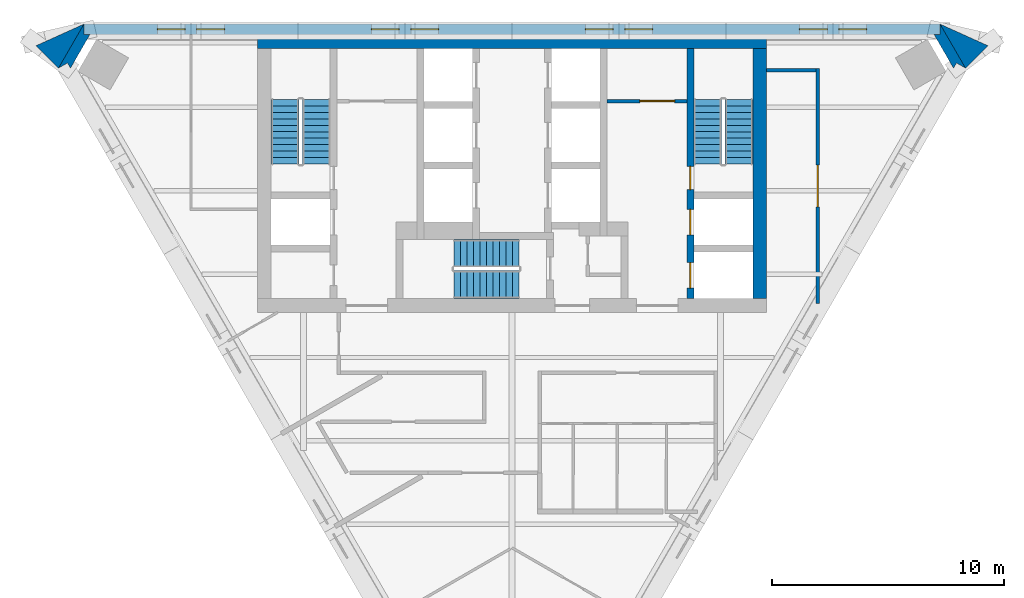
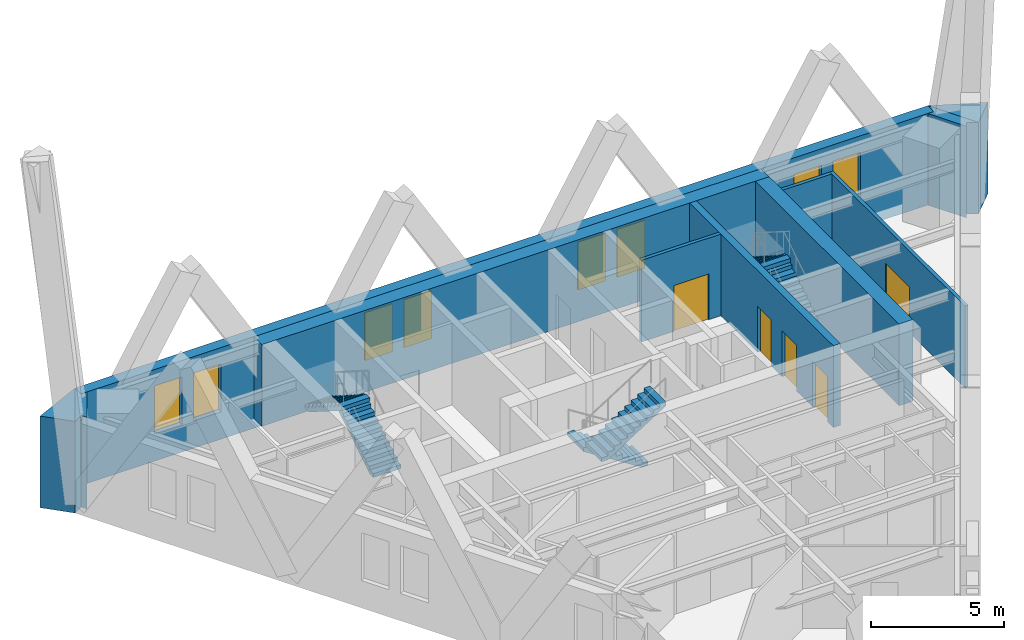
# One storey, part 5 of 6: 11 walls, 8 windows, 6 stair flights, 5 doors, 13 openings, 3 elements without a shape of their own.
"""IFC4 building model written with IfcOpenShell, lengths in metres."""

from ifc_helpers import new_model, si_unit, direction, frame, frame_2d, origin, place, context, subcontext, project, spatial, polyline, rectangle, outline, extrude, material, layer, layer_set, type_object, element, fill, aggregate, save


model = new_model("IFC4")

# Units and contexts
model_context = context("Model", 3, precision=1e-05, world=origin(), true_north=direction((0.0, 1.0)))
body_context = subcontext(model_context, "Body", "Model", "MODEL_VIEW")
ifc_project = project(units=[si_unit("LENGTHUNIT", "METRE"), si_unit("AREAUNIT", "SQUARE_METRE"), si_unit("VOLUMEUNIT", "CUBIC_METRE"), si_unit("PLANEANGLEUNIT", "RADIAN"), si_unit("MASSUNIT", "GRAM", prefix="KILO")], contexts=[model_context])

# Site, building, storey
site_placement = place(None, origin())
site = spatial("IfcSite", under=ifc_project, at=site_placement, CompositionType="ELEMENT")
building_placement = place(site_placement, origin())
building = spatial("IfcBuilding", under=site, at=building_placement, Name="Aloe Facet Convention Tower", CompositionType="ELEMENT")
storey_placement = place(building_placement, frame((0.0, 0.0, 238.699951171875)))
storey = spatial("IfcBuildingStorey", under=building, at=storey_placement, Name="L58", CompositionType="ELEMENT", Elevation=238.699951171875)

# Wall, opening, door
ifc_material_1 = material(Name="Concrete blockwork partition", Category="masonry")
ifc_layer_1 = layer(ifc_material_1, 0.14990234375)
ifc_layer_set_1 = layer_set([ifc_layer_1], Name="CR-W-PART150")
wall_type_1 = type_object("IfcWallType", Name="CR-W-PART150", PredefinedType="PARTITIONING", material=ifc_layer_set_1)
wall_1_placement = place(storey_placement, frame((84.10009765625, 131.675048828125, 0.0), z_axis=(0.0, 0.0, 1.0), x_axis=(1.0, 0.0, 0.0)))
wall_1 = element("IfcWall", 1, at=wall_1_placement, inside=storey, type_object=wall_type_1, Name="Core partition L58-025", PredefinedType="PARTITIONING", context=body_context, shape_type="SweptSolid", body=[
    extrude(rectangle(XDim=3.449951171875, YDim=0.14990234375, at=frame_2d((1.72509765625, 0.0))), origin(), (0.0, 0.0, 1.0), 3.75),
])
opening_1_placement = place(wall_1_placement, frame((1.425048828125, 0.0, 0.0)))
opening_1 = element("IfcOpeningElement", 2, at=opening_1_placement, cuts=wall_1, Name="Opening L58-CD13", PredefinedType="OPENING", context=body_context, shape_type="SweptSolid", body=[
    extrude(rectangle(XDim=1.5, YDim=2.10009765625, at=frame_2d((0.75, 1.050048828125))), frame((0.0, 0.0849609375, 0.0), z_axis=(0.0, -1.0, 0.0), x_axis=(1.0, 0.0, 0.0)), (0.0, 0.0, 1.0), 0.169921875),
])
ifc_material_2 = material(Name="Steel fire-resisting door set FD60", Category="steel")
door_type_1 = type_object("IfcDoorType", Name="CR-D-REFUGE-1500-FD60-DD", OperationType="DOUBLE_DOOR_DOUBLE_SWING", PredefinedType="DOOR", material=ifc_material_2)
door_1_placement = place(opening_1_placement, origin())
door_1 = element("IfcDoor", 3, at=door_1_placement, inside=storey, type_object=door_type_1, Name="Core door L58-CD13", OperationType="DOUBLE_DOOR_DOUBLE_SWING", OverallHeight=2.10009765625, OverallWidth=1.5, PredefinedType="DOOR", context=body_context, shape_type="SweptSolid", body=[
    extrude(rectangle(XDim=1.5, YDim=2.10009765625, at=frame_2d((0.75, 1.050048828125))), frame((0.0, 0.02490234375, 0.0), z_axis=(0.0, -1.0, 0.0), x_axis=(1.0, 0.0, 0.0)), (0.0, 0.0, 1.0), 0.050048828125),
])
fill(opening_1, door_1)

# Wall, openings, doors
ifc_material_3 = material(Name="Concrete C50/60", Category="concrete")
ifc_layer_2 = layer(ifc_material_3, 0.300048828125)
ifc_layer_set_2 = layer_set([ifc_layer_2], Name="CR-W-RC300-C5060")
wall_type_2 = type_object("IfcWallType", Name="CR-W-RC300-C5060", PredefinedType="SOLIDWALL", material=ifc_layer_set_2)
wall_2_placement = place(storey_placement, frame((87.699951171875, 133.949951171875, 0.0), z_axis=(0.0, 0.0, 1.0), x_axis=(0.0, -1.0, 0.0)))
wall_2 = element("IfcWall", 4, at=wall_2_placement, inside=storey, type_object=wall_type_2, Name="Core wall L58-028", PredefinedType="SOLIDWALL", context=body_context, shape_type="SweptSolid", body=[
    extrude(rectangle(XDim=10.800048828125, YDim=0.300048828125, at=frame_2d((5.39990234375, 0.0))), origin(), (0.0, 0.0, 1.0), 3.75),
])
opening_2_placement = place(wall_2_placement, frame((6.949951171875, 0.0, 0.0)))
opening_2 = element("IfcOpeningElement", 5, at=opening_2_placement, cuts=wall_2, Name="Opening LD-FF2-L58", PredefinedType="OPENING", context=body_context, shape_type="SweptSolid", body=[
    extrude(rectangle(XDim=1.10009765625, YDim=2.10009765625, at=frame_2d((0.550048828125, 1.050048828125))), frame((0.0, 0.16015625, 0.0), z_axis=(0.0, -1.0, 0.0), x_axis=(1.0, 0.0, 0.0)), (0.0, 0.0, 1.0), 0.320068359375),
])
opening_3_placement = place(wall_2_placement, frame((5.10009765625, 0.0, 0.0)))
opening_3 = element("IfcOpeningElement", 6, at=opening_3_placement, cuts=wall_2, Name="Opening L58-CD17", PredefinedType="OPENING", context=body_context, shape_type="SweptSolid", body=[
    extrude(rectangle(XDim=1.0, YDim=2.10009765625, at=frame_2d((0.5, 1.050048828125))), frame((0.0, 0.16015625, 0.0), z_axis=(0.0, -1.0, 0.0), x_axis=(1.0, 0.0, 0.0)), (0.0, 0.0, 1.0), 0.320068359375),
])
opening_4_placement = place(wall_2_placement, frame((9.25, 0.0, 0.0)))
opening_4 = element("IfcOpeningElement", 7, at=opening_4_placement, cuts=wall_2, Name="Opening LD-SV1-L58", PredefinedType="OPENING", context=body_context, shape_type="SweptSolid", body=[
    extrude(rectangle(XDim=1.10009765625, YDim=2.10009765625, at=frame_2d((0.550048828125, 1.050048828125))), frame((0.0, 0.16015625, 0.0), z_axis=(0.0, -1.0, 0.0), x_axis=(1.0, 0.0, 0.0)), (0.0, 0.0, 1.0), 0.320068359375),
])
ifc_material_4 = material(Name="Steel fire-resisting door set FD120", Category="steel")
door_type_2 = type_object("IfcDoorType", Name="CR-D-STAIR-1000-FD120-SLEFT", OperationType="SINGLE_SWING_LEFT", PredefinedType="DOOR", material=ifc_material_4)
door_2_placement = place(opening_3_placement, origin())
door_2 = element("IfcDoor", 8, at=door_2_placement, inside=storey, type_object=door_type_2, Name="Core door L58-CD17", OperationType="SINGLE_SWING_LEFT", OverallHeight=2.10009765625, OverallWidth=1.0, PredefinedType="DOOR", context=body_context, shape_type="SweptSolid", body=[
    extrude(rectangle(XDim=1.0, YDim=2.10009765625, at=frame_2d((0.5, 1.050048828125))), frame((0.0, 0.02490234375, 0.0), z_axis=(0.0, -1.0, 0.0), x_axis=(1.0, 0.0, 0.0)), (0.0, 0.0, 1.0), 0.050048828125),
])
fill(opening_3, door_2)
ifc_material_5 = material(Name="Stainless steel sliding landing door", Category="steel")
door_type_3 = type_object("IfcDoorType", Name="CR-LD-1100-FD120-_LEFT", OperationType="SLIDING_TO_LEFT", PredefinedType="DOOR", material=ifc_material_5)
door_3_placement = place(opening_2_placement, origin())
door_3 = element("IfcDoor", 9, at=door_3_placement, inside=storey, type_object=door_type_3, Name="Landing door FF2 L58", OperationType="SLIDING_TO_LEFT", OverallHeight=2.10009765625, OverallWidth=1.10009765625, PredefinedType="DOOR", context=body_context, shape_type="SweptSolid", body=[
    extrude(rectangle(XDim=1.10009765625, YDim=2.10009765625, at=frame_2d((0.550048828125, 1.050048828125))), frame((0.0, 0.02490234375, 0.0), z_axis=(0.0, -1.0, 0.0), x_axis=(1.0, 0.0, 0.0)), (0.0, 0.0, 1.0), 0.050048828125),
])
fill(opening_2, door_3)
door_4_placement = place(opening_4_placement, origin())
door_4 = element("IfcDoor", 10, at=door_4_placement, inside=storey, type_object=door_type_3, Name="Landing door SV1 L58", OperationType="SLIDING_TO_LEFT", OverallHeight=2.10009765625, OverallWidth=1.10009765625, PredefinedType="DOOR", context=body_context, shape_type="SweptSolid", body=[
    extrude(rectangle(XDim=1.10009765625, YDim=2.10009765625, at=frame_2d((0.550048828125, 1.050048828125))), frame((0.0, 0.02490234375, 0.0), z_axis=(0.0, -1.0, 0.0), x_axis=(1.0, 0.0, 0.0)), (0.0, 0.0, 1.0), 0.050048828125),
])
fill(opening_4, door_4)

# Walls
ifc_material_6 = material(Name="Concrete C50/60", Category="concrete")
ifc_layer_3 = layer(ifc_material_6, 0.60009765625)
ifc_layer_set_3 = layer_set([ifc_layer_3], Name="CR-W-RC600-C5060")
wall_type_3 = type_object("IfcWallType", Name="CR-W-RC600-C5060", PredefinedType="SOLIDWALL", material=ifc_layer_set_3)
wall_3_placement = place(storey_placement, frame((69.0, 134.25, 0.0), z_axis=(0.0, 0.0, 1.0), x_axis=(1.0, 0.0, 0.0)))
element("IfcWall", 11, at=wall_3_placement, inside=storey, type_object=wall_type_3, Name="Core wall L58-001", PredefinedType="SOLIDWALL", context=body_context, shape_type="SweptSolid", body=[
    extrude(rectangle(XDim=22.0, YDim=0.60009765625, at=frame_2d((11.0, 0.0))), origin(), (0.0, 0.0, 1.0), 3.75),
])
wall_4_placement = place(storey_placement, frame((90.699951171875, 133.949951171875, 0.0), z_axis=(0.0, 0.0, 1.0), x_axis=(0.0, -1.0, 0.0)))
element("IfcWall", 12, at=wall_4_placement, inside=storey, type_object=wall_type_3, Name="Core wall L58-031", PredefinedType="SOLIDWALL", context=body_context, shape_type="SweptSolid", body=[
    extrude(rectangle(XDim=10.800048828125, YDim=0.60009765625, at=frame_2d((5.39990234375, 0.0))), origin(), (0.0, 0.0, 1.0), 3.75),
])
ifc_material_7 = material(Name="Precast concrete C40/50", Category="concrete")
ifc_layer_4 = layer(ifc_material_7, 0.449951171875)
ifc_layer_set_4 = layer_set([ifc_layer_4], Name="EV-WALL-PIER")
wall_type_4 = type_object("IfcWallType", Name="EV-WALL-PIER", PredefinedType="SOLIDWALL", material=ifc_layer_set_4)
wall_5_placement = place(storey_placement, frame((0.0, 0.0, -0.449951171875)))
element("IfcWall", 13, at=wall_5_placement, inside=storey, type_object=wall_type_4, Name="EP-L58-A", PredefinedType="SOLIDWALL", context=body_context, shape_type="SweptSolid", body=[
    extrude(outline(polyline([(61.513916015625, 135.0), (61.513916015625, 134.550048828125), (61.773681640625, 134.550048828125), (60.933349609375, 133.0947265625), (60.803466796875, 133.31982421875), (60.413818359375, 133.0947265625), (61.513916015625, 135.0)])), origin(), (0.0, 0.0, 1.0), 4.199951171875),
])
wall_6_placement = place(storey_placement, frame((0.0, 0.0, -0.449951171875)))
element("IfcWall", 14, at=wall_6_placement, inside=storey, type_object=wall_type_4, Name="EP-L58-C", PredefinedType="SOLIDWALL", context=body_context, shape_type="SweptSolid", body=[
    extrude(outline(polyline([(99.586181640625, 133.0947265625), (99.196533203125, 133.31982421875), (99.066650390625, 133.0947265625), (98.226318359375, 134.550048828125), (98.486083984375, 134.550048828125), (98.486083984375, 135.0), (99.586181640625, 133.0947265625)])), origin(), (0.0, 0.0, 1.0), 4.199951171875),
])
ifc_material_8 = material(Name="Precast concrete C40/50", Category="concrete")
ifc_layer_5 = layer(ifc_material_8, 3.947998046875)
ifc_layer_set_5 = layer_set([ifc_layer_5], Name="EV-WALL-SPINE")
wall_type_5 = type_object("IfcWallType", Name="EV-WALL-SPINE", PredefinedType="SOLIDWALL", material=ifc_layer_set_5)
wall_7_placement = place(storey_placement, frame((0.0, 0.0, -0.449951171875)))
element("IfcWall", 15, at=wall_7_placement, inside=storey, type_object=wall_type_5, Name="SP-NW-L58", PredefinedType="SOLIDWALL", context=body_context, shape_type="SweptSolid", body=[
    extrude(outline(polyline([(61.513916015625, 135.0), (59.446044921875, 134.064453125), (60.413818359375, 133.0947265625), (61.513916015625, 135.0)])), origin(), (0.0, 0.0, 1.0), 4.199951171875),
])
wall_8_placement = place(storey_placement, frame((0.0, 0.0, -0.449951171875)))
element("IfcWall", 16, at=wall_8_placement, inside=storey, type_object=wall_type_5, Name="SP-NE-L58", PredefinedType="SOLIDWALL", context=body_context, shape_type="SweptSolid", body=[
    extrude(outline(polyline([(99.586181640625, 133.0947265625), (100.553955078125, 134.064453125), (98.486083984375, 135.0), (99.586181640625, 133.0947265625)])), origin(), (0.0, 0.0, 1.0), 4.199951171875),
])

# Wall, openings, windows
ifc_material_9 = material(Name="Precast concrete C40/50", Category="concrete")
ifc_layer_6 = layer(ifc_material_9, 0.449951171875)
ifc_layer_set_6 = layer_set([ifc_layer_6], Name="EV-WALL-STONE")
wall_type_6 = type_object("IfcWallType", Name="EV-WALL-STONE", PredefinedType="SOLIDWALL", material=ifc_layer_set_6)
wall_9_placement = place(storey_placement, frame((98.486083984375, 134.77490234375, -0.449951171875), z_axis=(0.0, 0.0, 1.0), x_axis=(-1.0, 0.0, 0.0)))
wall_9 = element("IfcWall", 17, at=wall_9_placement, inside=storey, type_object=wall_type_6, Name="EW-L58-N01", PredefinedType="SOLIDWALL", context=body_context, shape_type="SweptSolid", body=[
    extrude(outline(polyline([(36.972412109375, 0.0), (36.972412109375, 4.199951171875), (0.0, 4.199951171875), (0.0, 0.0), (36.972412109375, 0.0)])), frame((0.0, 0.22509765625, 0.0), z_axis=(0.0, -1.0, 0.0), x_axis=(1.0, 0.0, 0.0)), (0.0, 0.0, 1.0), 0.449951171875),
])
opening_5_placement = place(wall_9_placement, frame((3.171630859375, 0.0, 1.25)))
opening_5 = element("IfcOpeningElement", 18, at=opening_5_placement, cuts=wall_9, Name="Opening W-L58-N01", PredefinedType="OPENING", context=body_context, shape_type="SweptSolid", body=[
    extrude(rectangle(XDim=1.199951171875, YDim=2.199951171875, at=frame_2d((0.60009765625, 1.10009765625))), frame((0.0, 0.23486328125, 0.0), z_axis=(0.0, -1.0, 0.0), x_axis=(1.0, 0.0, 0.0)), (0.0, 0.0, 1.0), 0.469970703125),
])
opening_6_placement = place(wall_9_placement, frame((4.87158203125, 0.0, 1.25)))
opening_6 = element("IfcOpeningElement", 19, at=opening_6_placement, cuts=wall_9, Name="Opening W-L58-N02", PredefinedType="OPENING", context=body_context, shape_type="SweptSolid", body=[
    extrude(rectangle(XDim=1.199951171875, YDim=2.199951171875, at=frame_2d((0.60009765625, 1.10009765625))), frame((0.0, 0.23486328125, 0.0), z_axis=(0.0, -1.0, 0.0), x_axis=(1.0, 0.0, 0.0)), (0.0, 0.0, 1.0), 0.469970703125),
])
opening_7_placement = place(wall_9_placement, frame((12.41455078125, 0.0, 1.25)))
opening_7 = element("IfcOpeningElement", 20, at=opening_7_placement, cuts=wall_9, Name="Opening W-L58-N03", PredefinedType="OPENING", context=body_context, shape_type="SweptSolid", body=[
    extrude(rectangle(XDim=1.199951171875, YDim=2.199951171875, at=frame_2d((0.60009765625, 1.10009765625))), frame((0.0, 0.23486328125, 0.0), z_axis=(0.0, -1.0, 0.0), x_axis=(1.0, 0.0, 0.0)), (0.0, 0.0, 1.0), 0.469970703125),
])
opening_8_placement = place(wall_9_placement, frame((14.114501953125, 0.0, 1.25)))
opening_8 = element("IfcOpeningElement", 21, at=opening_8_placement, cuts=wall_9, Name="Opening W-L58-N04", PredefinedType="OPENING", context=body_context, shape_type="SweptSolid", body=[
    extrude(rectangle(XDim=1.199951171875, YDim=2.199951171875, at=frame_2d((0.60009765625, 1.10009765625))), frame((0.0, 0.23486328125, 0.0), z_axis=(0.0, -1.0, 0.0), x_axis=(1.0, 0.0, 0.0)), (0.0, 0.0, 1.0), 0.469970703125),
])
opening_9_placement = place(wall_9_placement, frame((21.65771484375, 0.0, 1.25)))
opening_9 = element("IfcOpeningElement", 22, at=opening_9_placement, cuts=wall_9, Name="Opening W-L58-N05", PredefinedType="OPENING", context=body_context, shape_type="SweptSolid", body=[
    extrude(rectangle(XDim=1.199951171875, YDim=2.199951171875, at=frame_2d((0.60009765625, 1.10009765625))), frame((0.0, 0.23486328125, 0.0), z_axis=(0.0, -1.0, 0.0), x_axis=(1.0, 0.0, 0.0)), (0.0, 0.0, 1.0), 0.469970703125),
])
opening_10_placement = place(wall_9_placement, frame((23.357666015625, 0.0, 1.25)))
opening_10 = element("IfcOpeningElement", 23, at=opening_10_placement, cuts=wall_9, Name="Opening W-L58-N06", PredefinedType="OPENING", context=body_context, shape_type="SweptSolid", body=[
    extrude(rectangle(XDim=1.199951171875, YDim=2.199951171875, at=frame_2d((0.60009765625, 1.10009765625))), frame((0.0, 0.23486328125, 0.0), z_axis=(0.0, -1.0, 0.0), x_axis=(1.0, 0.0, 0.0)), (0.0, 0.0, 1.0), 0.469970703125),
])
opening_11_placement = place(wall_9_placement, frame((30.90087890625, 0.0, 1.25)))
opening_11 = element("IfcOpeningElement", 24, at=opening_11_placement, cuts=wall_9, Name="Opening W-L58-N07", PredefinedType="OPENING", context=body_context, shape_type="SweptSolid", body=[
    extrude(rectangle(XDim=1.199951171875, YDim=2.199951171875, at=frame_2d((0.60009765625, 1.10009765625))), frame((0.0, 0.23486328125, 0.0), z_axis=(0.0, -1.0, 0.0), x_axis=(1.0, 0.0, 0.0)), (0.0, 0.0, 1.0), 0.469970703125),
])
opening_12_placement = place(wall_9_placement, frame((32.600830078125, 0.0, 1.25)))
opening_12 = element("IfcOpeningElement", 25, at=opening_12_placement, cuts=wall_9, Name="Opening W-L58-N08", PredefinedType="OPENING", context=body_context, shape_type="SweptSolid", body=[
    extrude(rectangle(XDim=1.199951171875, YDim=2.199951171875, at=frame_2d((0.60009765625, 1.10009765625))), frame((0.0, 0.23486328125, 0.0), z_axis=(0.0, -1.0, 0.0), x_axis=(1.0, 0.0, 0.0)), (0.0, 0.0, 1.0), 0.469970703125),
])
ifc_material_10 = material(Name="Aluminium frame, clear double glazing", Category="aluminium")
window_type = type_object("IfcWindowType", Name="EV-WIN-O12", PartitioningType="SINGLE_PANEL", PredefinedType="WINDOW", material=ifc_material_10)
window_1_placement = place(opening_5_placement, origin())
window_1 = element("IfcWindow", 26, at=window_1_placement, inside=storey, type_object=window_type, Name="W-L58-N01", OverallHeight=2.199951171875, OverallWidth=1.199951171875, PartitioningType="SINGLE_PANEL", PredefinedType="WINDOW", context=body_context, shape_type="SweptSolid", body=[
    extrude(rectangle(XDim=1.199951171875, YDim=2.199951171875, at=frame_2d((0.60009765625, 1.10009765625))), frame((0.0, 0.030029296875, 0.0), z_axis=(0.0, -1.0, 0.0), x_axis=(1.0, 0.0, 0.0)), (0.0, 0.0, 1.0), 0.06005859375),
])
fill(opening_5, window_1)
window_2_placement = place(opening_6_placement, origin())
window_2 = element("IfcWindow", 27, at=window_2_placement, inside=storey, type_object=window_type, Name="W-L58-N02", OverallHeight=2.199951171875, OverallWidth=1.199951171875, PartitioningType="SINGLE_PANEL", PredefinedType="WINDOW", context=body_context, shape_type="SweptSolid", body=[
    extrude(rectangle(XDim=1.199951171875, YDim=2.199951171875, at=frame_2d((0.60009765625, 1.10009765625))), frame((0.0, 0.030029296875, 0.0), z_axis=(0.0, -1.0, 0.0), x_axis=(1.0, 0.0, 0.0)), (0.0, 0.0, 1.0), 0.06005859375),
])
fill(opening_6, window_2)
window_3_placement = place(opening_7_placement, origin())
window_3 = element("IfcWindow", 28, at=window_3_placement, inside=storey, type_object=window_type, Name="W-L58-N03", OverallHeight=2.199951171875, OverallWidth=1.199951171875, PartitioningType="SINGLE_PANEL", PredefinedType="WINDOW", context=body_context, shape_type="SweptSolid", body=[
    extrude(rectangle(XDim=1.199951171875, YDim=2.199951171875, at=frame_2d((0.60009765625, 1.10009765625))), frame((0.0, 0.030029296875, 0.0), z_axis=(0.0, -1.0, 0.0), x_axis=(1.0, 0.0, 0.0)), (0.0, 0.0, 1.0), 0.06005859375),
])
fill(opening_7, window_3)
window_4_placement = place(opening_8_placement, origin())
window_4 = element("IfcWindow", 29, at=window_4_placement, inside=storey, type_object=window_type, Name="W-L58-N04", OverallHeight=2.199951171875, OverallWidth=1.199951171875, PartitioningType="SINGLE_PANEL", PredefinedType="WINDOW", context=body_context, shape_type="SweptSolid", body=[
    extrude(rectangle(XDim=1.199951171875, YDim=2.199951171875, at=frame_2d((0.60009765625, 1.10009765625))), frame((0.0, 0.030029296875, 0.0), z_axis=(0.0, -1.0, 0.0), x_axis=(1.0, 0.0, 0.0)), (0.0, 0.0, 1.0), 0.06005859375),
])
fill(opening_8, window_4)
window_5_placement = place(opening_9_placement, origin())
window_5 = element("IfcWindow", 30, at=window_5_placement, inside=storey, type_object=window_type, Name="W-L58-N05", OverallHeight=2.199951171875, OverallWidth=1.199951171875, PartitioningType="SINGLE_PANEL", PredefinedType="WINDOW", context=body_context, shape_type="SweptSolid", body=[
    extrude(rectangle(XDim=1.199951171875, YDim=2.199951171875, at=frame_2d((0.60009765625, 1.10009765625))), frame((0.0, 0.030029296875, 0.0), z_axis=(0.0, -1.0, 0.0), x_axis=(1.0, 0.0, 0.0)), (0.0, 0.0, 1.0), 0.06005859375),
])
fill(opening_9, window_5)
window_6_placement = place(opening_10_placement, origin())
window_6 = element("IfcWindow", 31, at=window_6_placement, inside=storey, type_object=window_type, Name="W-L58-N06", OverallHeight=2.199951171875, OverallWidth=1.199951171875, PartitioningType="SINGLE_PANEL", PredefinedType="WINDOW", context=body_context, shape_type="SweptSolid", body=[
    extrude(rectangle(XDim=1.199951171875, YDim=2.199951171875, at=frame_2d((0.60009765625, 1.10009765625))), frame((0.0, 0.030029296875, 0.0), z_axis=(0.0, -1.0, 0.0), x_axis=(1.0, 0.0, 0.0)), (0.0, 0.0, 1.0), 0.06005859375),
])
fill(opening_10, window_6)
window_7_placement = place(opening_11_placement, origin())
window_7 = element("IfcWindow", 32, at=window_7_placement, inside=storey, type_object=window_type, Name="W-L58-N07", OverallHeight=2.199951171875, OverallWidth=1.199951171875, PartitioningType="SINGLE_PANEL", PredefinedType="WINDOW", context=body_context, shape_type="SweptSolid", body=[
    extrude(rectangle(XDim=1.199951171875, YDim=2.199951171875, at=frame_2d((0.60009765625, 1.10009765625))), frame((0.0, 0.030029296875, 0.0), z_axis=(0.0, -1.0, 0.0), x_axis=(1.0, 0.0, 0.0)), (0.0, 0.0, 1.0), 0.06005859375),
])
fill(opening_11, window_7)
window_8_placement = place(opening_12_placement, origin())
window_8 = element("IfcWindow", 33, at=window_8_placement, inside=storey, type_object=window_type, Name="W-L58-N08", OverallHeight=2.199951171875, OverallWidth=1.199951171875, PartitioningType="SINGLE_PANEL", PredefinedType="WINDOW", context=body_context, shape_type="SweptSolid", body=[
    extrude(rectangle(XDim=1.199951171875, YDim=2.199951171875, at=frame_2d((0.60009765625, 1.10009765625))), frame((0.0, 0.030029296875, 0.0), z_axis=(0.0, -1.0, 0.0), x_axis=(1.0, 0.0, 0.0)), (0.0, 0.0, 1.0), 0.06005859375),
])
fill(opening_12, window_8)

# Wall, opening, door
ifc_material_11 = material(Name="Gypsum board partition on steel studs", Category="steel")
ifc_layer_7 = layer(ifc_material_11, 0.14990234375)
ifc_layer_set_7 = layer_set([ifc_layer_7], Name="IN-W-CORR")
wall_type_7 = type_object("IfcWallType", Name="IN-W-CORR", PredefinedType="PARTITIONING", material=ifc_layer_set_7)
wall_10_placement = place(storey_placement, frame((93.199951171875, 122.93359375, 0.0), z_axis=(0.0, 0.0, 1.0), x_axis=(0.0, 1.0, 0.0)))
wall_10 = element("IfcWall", 34, at=wall_10_placement, inside=storey, type_object=wall_type_7, Name="Partition L58-W033", PredefinedType="PARTITIONING", context=body_context, shape_type="SweptSolid", body=[
    extrude(rectangle(XDim=10.141357421875, YDim=0.14990234375, at=frame_2d((5.07080078125, 0.0))), origin(), (0.0, 0.0, 1.0), 3.75),
])
opening_13_placement = place(wall_10_placement, frame((4.170654296875, 0.0, 0.0)))
opening_13 = element("IfcOpeningElement", 35, at=opening_13_placement, cuts=wall_10, Name="Opening L58-010", PredefinedType="OPENING", context=body_context, shape_type="SweptSolid", body=[
    extrude(rectangle(XDim=1.800048828125, YDim=2.10009765625, at=frame_2d((0.89990234375, 1.050048828125))), frame((0.0, 0.0849609375, 0.0), z_axis=(0.0, -1.0, 0.0), x_axis=(1.0, 0.0, 0.0)), (0.0, 0.0, 1.0), 0.169921875),
])
ifc_material_12 = material(Name="Glazed timber door pair FD30S", Category="wood")
door_type_4 = type_object("IfcDoorType", Name="IN-OFF-D-SUITE", OperationType="DOUBLE_DOOR_SINGLE_SWING", PredefinedType="DOOR", material=ifc_material_12)
door_5_placement = place(opening_13_placement, origin())
door_5 = element("IfcDoor", 36, at=door_5_placement, inside=storey, type_object=door_type_4, Name="Door L58-010", OperationType="SINGLE_SWING_LEFT", OverallHeight=2.10009765625, OverallWidth=1.800048828125, PredefinedType="DOOR", context=body_context, shape_type="SweptSolid", body=[
    extrude(rectangle(XDim=1.800048828125, YDim=2.10009765625, at=frame_2d((0.89990234375, 1.050048828125))), frame((0.0, 0.02490234375, 0.0), z_axis=(0.0, -1.0, 0.0), x_axis=(1.0, 0.0, 0.0)), (0.0, 0.0, 1.0), 0.050048828125),
])
fill(opening_13, door_5)

# Wall
wall_11_placement = place(storey_placement, frame((91.0, 133.0, 0.0), z_axis=(0.0, 0.0, 1.0), x_axis=(1.0, 0.0, 0.0)))
element("IfcWall", 37, at=wall_11_placement, inside=storey, type_object=wall_type_7, Name="Partition L58-W035", PredefinedType="PARTITIONING", context=body_context, shape_type="SweptSolid", body=[
    extrude(rectangle(XDim=2.125, YDim=0.14990234375, at=frame_2d((1.0625, 0.0))), origin(), (0.0, 0.0, 1.0), 3.75),
])

# Stair, stair flights
ifc_material_13 = material(Name="Concrete C50/60", Category="concrete")
stair_type = type_object("IfcStairType", Name="CR-ST-22R", PredefinedType="HALF_TURN_STAIR", material=ifc_material_13)
stair_1_placement = place(storey_placement, origin())
stair_1 = element("IfcStair", 38, at=stair_1_placement, inside=storey, type_object=stair_type, Name="L58 Protected exit stair ST1", PredefinedType="HALF_TURN_STAIR")
ifc_material_14 = material(Name="Concrete C50/60", Category="concrete")
stair_flight_type = type_object("IfcStairFlightType", Name="CR-SFL-22R", PredefinedType="STRAIGHT", material=ifc_material_14)
stair_flight_1_placement = place(storey_placement, frame((71.550048828125, 128.949951171875, 0.0), z_axis=(0.0, 0.0, 1.0), x_axis=(0.0, 1.0, 0.0)))
stair_flight_1 = element("IfcStairFlight", 39, at=stair_flight_1_placement, type_object=stair_flight_type, Name="ST1 flight 1", NumberOfRisers=11, NumberOfTreads=10, PredefinedType="STRAIGHT", RiserHeight=0.177272727, TreadLength=0.28, context=body_context, shape_type="SweptSolid", body=[
    extrude(outline(polyline([(0.0, 0.0), (0.0, 0.17724609375), (0.280029296875, 0.17724609375), (0.280029296875, 0.3544921875), (0.56005859375, 0.3544921875), (0.56005859375, 0.53173828125), (0.840087890625, 0.53173828125), (0.840087890625, 0.708984375), (1.1201171875, 0.708984375), (1.1201171875, 0.886474609375), (1.39990234375, 0.886474609375), (1.39990234375, 1.063720703125), (1.679931640625, 1.063720703125), (1.679931640625, 1.240966796875), (1.9599609375, 1.240966796875), (1.9599609375, 1.418212890625), (2.239990234375, 1.418212890625), (2.239990234375, 1.595458984375), (2.52001953125, 1.595458984375), (2.52001953125, 1.772705078125), (2.800048828125, 1.772705078125), (2.800048828125, 1.949951171875), (2.800048828125, 1.59521484375), (0.2802734375, 0.0), (0.0, 0.0)])), frame((0.0, 0.60009765625, 0.0), z_axis=(0.0, -1.0, 0.0), x_axis=(1.0, 0.0, 0.0)), (0.0, 0.0, 1.0), 1.199951171875),
])
stair_flight_2_placement = place(storey_placement, frame((70.199951171875, 131.75, 1.949951171875), z_axis=(0.0, 0.0, 1.0), x_axis=(0.0, -1.0, 0.0)))
stair_flight_2 = element("IfcStairFlight", 40, at=stair_flight_2_placement, type_object=stair_flight_type, Name="ST1 flight 2", NumberOfRisers=11, NumberOfTreads=10, PredefinedType="STRAIGHT", RiserHeight=0.177272727, TreadLength=0.28, context=body_context, shape_type="SweptSolid", body=[
    extrude(outline(polyline([(0.0, 0.0), (0.0, 0.17724609375), (0.280029296875, 0.17724609375), (0.280029296875, 0.3544921875), (0.56005859375, 0.3544921875), (0.56005859375, 0.53173828125), (0.840087890625, 0.53173828125), (0.840087890625, 0.708984375), (1.1201171875, 0.708984375), (1.1201171875, 0.886474609375), (1.39990234375, 0.886474609375), (1.39990234375, 1.063720703125), (1.679931640625, 1.063720703125), (1.679931640625, 1.240966796875), (1.9599609375, 1.240966796875), (1.9599609375, 1.418212890625), (2.239990234375, 1.418212890625), (2.239990234375, 1.595458984375), (2.52001953125, 1.595458984375), (2.52001953125, 1.772705078125), (2.800048828125, 1.772705078125), (2.800048828125, 1.949951171875), (2.800048828125, 1.59521484375), (0.2802734375, 0.0), (0.0, 0.0)])), frame((0.0, 0.60009765625, 0.0), z_axis=(0.0, -1.0, 0.0), x_axis=(1.0, 0.0, 0.0)), (0.0, 0.0, 1.0), 1.199951171875),
])
aggregate(stair_1, [stair_flight_1, stair_flight_2])

stair_2_placement = place(storey_placement, origin())
stair_2 = element("IfcStair", 41, at=stair_2_placement, inside=storey, type_object=stair_type, Name="L58 Protected exit stair ST2", PredefinedType="HALF_TURN_STAIR")
stair_flight_3_placement = place(storey_placement, frame((89.800048828125, 128.949951171875, 0.0), z_axis=(0.0, 0.0, 1.0), x_axis=(0.0, 1.0, 0.0)))
stair_flight_3 = element("IfcStairFlight", 42, at=stair_flight_3_placement, type_object=stair_flight_type, Name="ST2 flight 1", NumberOfRisers=11, NumberOfTreads=10, PredefinedType="STRAIGHT", RiserHeight=0.177272727, TreadLength=0.28, context=body_context, shape_type="SweptSolid", body=[
    extrude(outline(polyline([(0.0, 0.0), (0.0, 0.17724609375), (0.280029296875, 0.17724609375), (0.280029296875, 0.3544921875), (0.56005859375, 0.3544921875), (0.56005859375, 0.53173828125), (0.840087890625, 0.53173828125), (0.840087890625, 0.708984375), (1.1201171875, 0.708984375), (1.1201171875, 0.886474609375), (1.39990234375, 0.886474609375), (1.39990234375, 1.063720703125), (1.679931640625, 1.063720703125), (1.679931640625, 1.240966796875), (1.9599609375, 1.240966796875), (1.9599609375, 1.418212890625), (2.239990234375, 1.418212890625), (2.239990234375, 1.595458984375), (2.52001953125, 1.595458984375), (2.52001953125, 1.772705078125), (2.800048828125, 1.772705078125), (2.800048828125, 1.949951171875), (2.800048828125, 1.59521484375), (0.2802734375, 0.0), (0.0, 0.0)])), frame((0.0, 0.60009765625, 0.0), z_axis=(0.0, -1.0, 0.0), x_axis=(1.0, 0.0, 0.0)), (0.0, 0.0, 1.0), 1.199951171875),
])
stair_flight_4_placement = place(storey_placement, frame((88.449951171875, 131.75, 1.949951171875), z_axis=(0.0, 0.0, 1.0), x_axis=(0.0, -1.0, 0.0)))
stair_flight_4 = element("IfcStairFlight", 43, at=stair_flight_4_placement, type_object=stair_flight_type, Name="ST2 flight 2", NumberOfRisers=11, NumberOfTreads=10, PredefinedType="STRAIGHT", RiserHeight=0.177272727, TreadLength=0.28, context=body_context, shape_type="SweptSolid", body=[
    extrude(outline(polyline([(0.0, 0.0), (0.0, 0.17724609375), (0.280029296875, 0.17724609375), (0.280029296875, 0.3544921875), (0.56005859375, 0.3544921875), (0.56005859375, 0.53173828125), (0.840087890625, 0.53173828125), (0.840087890625, 0.708984375), (1.1201171875, 0.708984375), (1.1201171875, 0.886474609375), (1.39990234375, 0.886474609375), (1.39990234375, 1.063720703125), (1.679931640625, 1.063720703125), (1.679931640625, 1.240966796875), (1.9599609375, 1.240966796875), (1.9599609375, 1.418212890625), (2.239990234375, 1.418212890625), (2.239990234375, 1.595458984375), (2.52001953125, 1.595458984375), (2.52001953125, 1.772705078125), (2.800048828125, 1.772705078125), (2.800048828125, 1.949951171875), (2.800048828125, 1.59521484375), (0.2802734375, 0.0), (0.0, 0.0)])), frame((0.0, 0.60009765625, 0.0), z_axis=(0.0, -1.0, 0.0), x_axis=(1.0, 0.0, 0.0)), (0.0, 0.0, 1.0), 1.199951171875),
])
aggregate(stair_2, [stair_flight_3, stair_flight_4])

stair_3_placement = place(storey_placement, origin())
stair_3 = element("IfcStair", 44, at=stair_3_placement, inside=storey, type_object=stair_type, Name="L58 Protected exit stair ST3", PredefinedType="HALF_TURN_STAIR")
stair_flight_5_placement = place(storey_placement, frame((80.300048828125, 125.10009765625, 0.0), z_axis=(0.0, 0.0, 1.0), x_axis=(-1.0, 0.0, 0.0)))
stair_flight_5 = element("IfcStairFlight", 45, at=stair_flight_5_placement, type_object=stair_flight_type, Name="ST3 flight 1", NumberOfRisers=11, NumberOfTreads=10, PredefinedType="STRAIGHT", RiserHeight=0.177272727, TreadLength=0.28, context=body_context, shape_type="SweptSolid", body=[
    extrude(outline(polyline([(0.0, 0.0), (0.0, 0.17724609375), (0.280029296875, 0.17724609375), (0.280029296875, 0.3544921875), (0.56005859375, 0.3544921875), (0.56005859375, 0.53173828125), (0.840087890625, 0.53173828125), (0.840087890625, 0.708984375), (1.1201171875, 0.708984375), (1.1201171875, 0.886474609375), (1.39990234375, 0.886474609375), (1.39990234375, 1.063720703125), (1.679931640625, 1.063720703125), (1.679931640625, 1.240966796875), (1.9599609375, 1.240966796875), (1.9599609375, 1.418212890625), (2.239990234375, 1.418212890625), (2.239990234375, 1.595458984375), (2.52001953125, 1.595458984375), (2.52001953125, 1.772705078125), (2.800048828125, 1.772705078125), (2.800048828125, 1.949951171875), (2.800048828125, 1.59521484375), (0.2802734375, 0.0), (0.0, 0.0)])), frame((0.0, 0.60009765625, 0.0), z_axis=(0.0, -1.0, 0.0), x_axis=(1.0, 0.0, 0.0)), (0.0, 0.0, 1.0), 1.199951171875),
])
stair_flight_6_placement = place(storey_placement, frame((77.5, 123.75, 1.949951171875), z_axis=(0.0, 0.0, 1.0), x_axis=(1.0, 0.0, 0.0)))
stair_flight_6 = element("IfcStairFlight", 46, at=stair_flight_6_placement, type_object=stair_flight_type, Name="ST3 flight 2", NumberOfRisers=11, NumberOfTreads=10, PredefinedType="STRAIGHT", RiserHeight=0.177272727, TreadLength=0.28, context=body_context, shape_type="SweptSolid", body=[
    extrude(outline(polyline([(0.0, 0.0), (0.0, 0.17724609375), (0.280029296875, 0.17724609375), (0.280029296875, 0.3544921875), (0.56005859375, 0.3544921875), (0.56005859375, 0.53173828125), (0.840087890625, 0.53173828125), (0.840087890625, 0.708984375), (1.1201171875, 0.708984375), (1.1201171875, 0.886474609375), (1.39990234375, 0.886474609375), (1.39990234375, 1.063720703125), (1.679931640625, 1.063720703125), (1.679931640625, 1.240966796875), (1.9599609375, 1.240966796875), (1.9599609375, 1.418212890625), (2.239990234375, 1.418212890625), (2.239990234375, 1.595458984375), (2.52001953125, 1.595458984375), (2.52001953125, 1.772705078125), (2.800048828125, 1.772705078125), (2.800048828125, 1.949951171875), (2.800048828125, 1.59521484375), (0.2802734375, 0.0), (0.0, 0.0)])), frame((0.0, 0.60009765625, 0.0), z_axis=(0.0, -1.0, 0.0), x_axis=(1.0, 0.0, 0.0)), (0.0, 0.0, 1.0), 1.199951171875),
])
aggregate(stair_3, [stair_flight_5, stair_flight_6])

save(model, "model.ifc")
